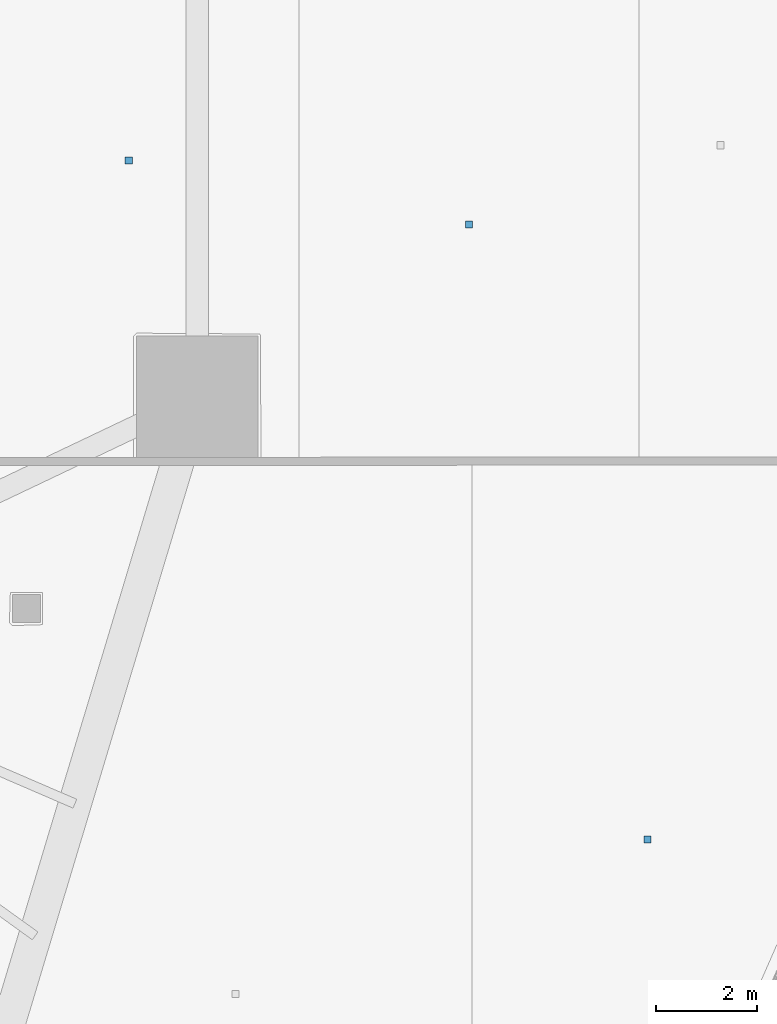
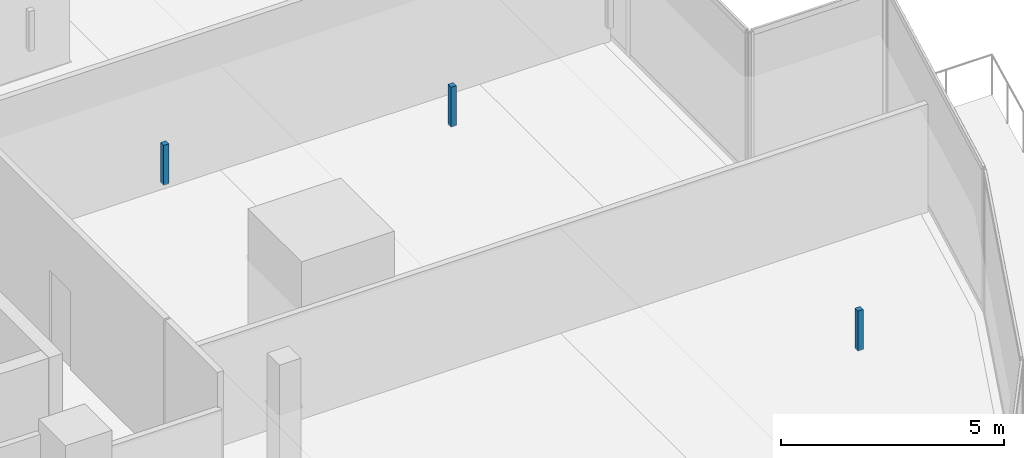
# One storey, part 33 of 45: 3 discrete accessories.
"""IFC4 building model written with IfcOpenShell, lengths in metres."""

from ifc_helpers import new_model, si_unit, direction, frame, origin, origin_2d, place, context, subcontext, project, spatial, rectangle, extrude, material, type_object, element, save


model = new_model("IFC4")

# Units and contexts
model_context = context("Model", 3, precision=1e-05, world=origin(), true_north=direction((0.0, 1.0)))
body_context = subcontext(model_context, "Body", "Model", "MODEL_VIEW")
ifc_project = project(units=[si_unit("LENGTHUNIT", "METRE"), si_unit("AREAUNIT", "SQUARE_METRE"), si_unit("VOLUMEUNIT", "CUBIC_METRE"), si_unit("PLANEANGLEUNIT", "RADIAN"), si_unit("MASSUNIT", "GRAM", prefix="KILO")], contexts=[model_context])

# Site, building, storey
site_placement = place(None, origin())
site = spatial("IfcSite", under=ifc_project, at=site_placement, CompositionType="ELEMENT")
building_placement = place(site_placement, origin())
building = spatial("IfcBuilding", under=site, at=building_placement, Name="Qorvath Tower", CompositionType="ELEMENT")
storey_placement = place(building_placement, frame((0.0, 0.0, 49.199951171875)))
storey = spatial("IfcBuildingStorey", under=building, at=storey_placement, Name="L10", CompositionType="ELEMENT", Elevation=49.199951171875)

# Discrete accessories
ifc_material = material(Name="Galvanised steel bracket", Category="steel")
discrete_accessory_type = type_object("IfcDiscreteAccessoryType", Name="DA-BRACKET", PredefinedType="BRACKET", material=ifc_material)
for number, where, z_axis, x_axis, name in (
    (1, (0.451904296875, -16.00048828125, 2.85986328125), (0.0, 0.0, 1.0), (1.0, 0.0, 0.0), "Acoustic Ceiling Suspension Hanger T1-L10-019"),
    (2, (-9.781982421875, -2.614990234375, 2.85986328125), (0.0, 0.0, 1.0), (1.0, 0.0, 0.0), "Acoustic Ceiling Suspension Hanger T1-L10-020"),
    (3, (-3.071533203125, -3.8701171875, 2.85986328125), (0.0, 0.0, 1.0), (1.0, 0.0, 0.0), "Acoustic Ceiling Suspension Hanger T1-L10-021"),
):
    element("IfcDiscreteAccessory", number, at=place(storey_placement, frame(where, z_axis=z_axis, x_axis=x_axis)), inside=storey, type_object=discrete_accessory_type, Name=name, PredefinedType="NOTDEFINED", context=body_context, shape_type="SweptSolid", body=[
        extrude(rectangle(XDim=0.139892578125, YDim=0.139892578125, at=origin_2d()), origin(), (0.0, 0.0, 1.0), 1.090087890625),
    ])

save(model, "model.ifc")
